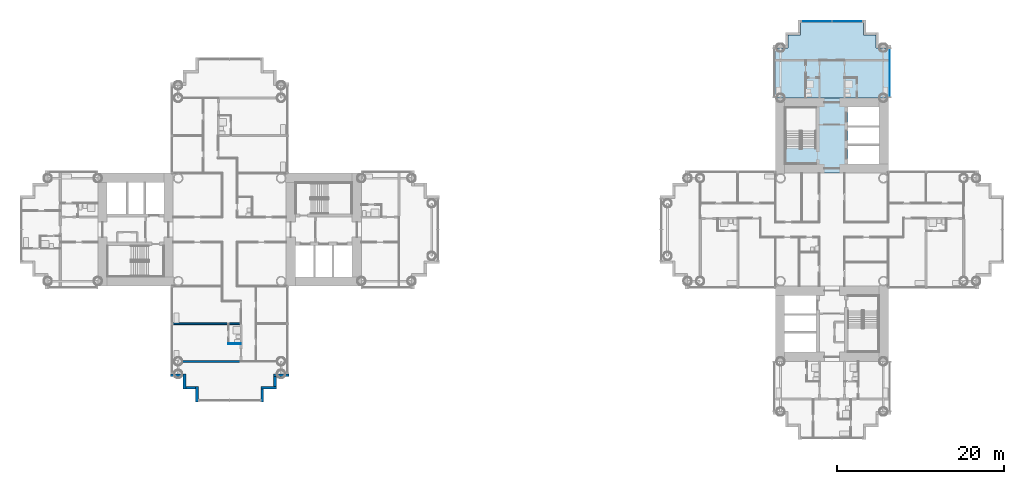
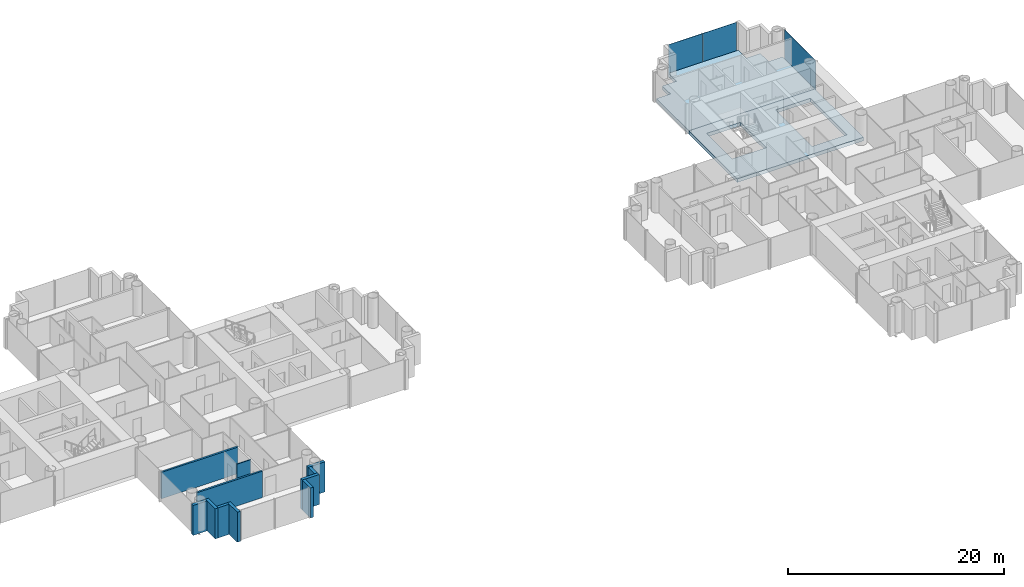
# One storey, part 8 of 21: 11 walls, 3 plates, 2 slabs, 2 elements without a shape of their own.
"""IFC4 building model written with IfcOpenShell, lengths in metres."""

from ifc_helpers import new_model, si_unit, direction, frame, frame_2d, origin, origin_2d, place, context, subcontext, project, spatial, polyline, rectangle, outline, extrude, material, layer, layer_set, type_object, element, aggregate, save


model = new_model("IFC4")

# Units and contexts
model_context = context("Model", 3, precision=1e-05, world=origin(), true_north=direction((0.0, 1.0)))
body_context = subcontext(model_context, "Body", "Model", "MODEL_VIEW")
ifc_project = project(units=[si_unit("LENGTHUNIT", "METRE"), si_unit("AREAUNIT", "SQUARE_METRE"), si_unit("VOLUMEUNIT", "CUBIC_METRE"), si_unit("PLANEANGLEUNIT", "RADIAN"), si_unit("MASSUNIT", "GRAM", prefix="KILO")], contexts=[model_context])

# Site, building, storey
site_placement = place(None, origin())
site = spatial("IfcSite", under=ifc_project, at=site_placement, CompositionType="ELEMENT")
building_placement = place(site_placement, origin())
building = spatial("IfcBuilding", under=site, at=building_placement, Name="Ipe Terrace Towers", CompositionType="ELEMENT")
storey_placement = place(building_placement, frame((0.0, 0.0, 48.300048828125)))
storey = spatial("IfcBuildingStorey", under=building, at=storey_placement, Name="L12", CompositionType="ELEMENT", Elevation=48.300048828125)

# Slabs
ifc_material_1 = material(Name="Concrete C30/37", Category="concrete")
ifc_layer_1 = layer(ifc_material_1, 0.39990234375)
ifc_layer_set_1 = layer_set([ifc_layer_1], Name="CORE FLOOR SLAB 400 C30-37")
slab_type_1 = type_object("IfcSlabType", Name="CORE FLOOR SLAB 400 C30-37", PredefinedType="FLOOR", material=ifc_layer_set_1)
slab_1_placement = place(storey_placement, frame((0.0, 0.0, -0.400146484375)))
element("IfcSlab", 1, at=slab_1_placement, inside=storey, type_object=slab_type_1, Name="Core floor T2-C1", PredefinedType="FLOOR", context=body_context, shape_type="SweptSolid", body=[
    extrude(outline(polyline([(29.25, 6.75), (29.25, 15.75), (42.75, 15.75), (42.75, 6.75), (29.25, 6.75)]), holes=[polyline([(41.64990234375, 7.85009765625), (41.64990234375, 14.64990234375), (37.89990234375, 14.64990234375), (37.89990234375, 7.85009765625), (41.64990234375, 7.85009765625)]), polyline([(30.449951171875, 9.800048828125), (34.10009765625, 9.800048828125), (34.10009765625, 14.550048828125), (30.449951171875, 14.550048828125), (30.449951171875, 9.800048828125)])]), origin(), (0.0, 0.0, 1.0), 0.400146484375),
])
ifc_material_2 = material(Name="Concrete C40/50", Category="concrete")
ifc_layer_2 = layer(ifc_material_2, 0.39990234375)
ifc_layer_set_2 = layer_set([ifc_layer_2], Name="FLAT PLATE SLAB 400 C40-50")
slab_type_2 = type_object("IfcSlabType", Name="FLAT PLATE SLAB 400 C40-50", PredefinedType="FLOOR", material=ifc_layer_set_2)
slab_2_placement = place(storey_placement, frame((0.0, 0.0, -0.400146484375)))
element("IfcSlab", 2, at=slab_2_placement, inside=storey, type_object=slab_type_2, Name="Slab T2-FS-Z13", PredefinedType="FLOOR", context=body_context, shape_type="SweptSolid", body=[
    extrude(outline(polyline([(30.75, 21.75), (30.75, 23.25), (32.25, 23.25), (32.25, 24.75), (39.75, 24.75), (39.75, 23.25), (41.25, 23.25), (41.25, 21.75), (42.75, 21.75), (42.75, 15.75), (29.25, 15.75), (29.25, 21.75), (30.75, 21.75)])), origin(), (0.0, 0.0, 1.0), 0.400146484375),
])

# Curtain wall, plate
ifc_material_3 = material(Name="Aluminium alloy 6063-T6", Category="aluminium")
ifc_layer_3 = layer(ifc_material_3, 0.320068359375)
ifc_layer_set_3 = layer_set([ifc_layer_3], Name="TOWER UNITISED CURTAIN WALL")
curtain_wall_type = type_object("IfcCurtainWallType", Name="TOWER UNITISED CURTAIN WALL", PredefinedType="NOTDEFINED", material=ifc_layer_set_3)
curtain_wall_1_placement = place(storey_placement, origin())
curtain_wall_1 = element("IfcCurtainWall", 3, at=curtain_wall_1_placement, inside=storey, type_object=curtain_wall_type, Name="T2-CW-L12-20b curtain wall", PredefinedType="NOTDEFINED")
ifc_material_4 = material(Name="Glass, clear laminated", Category="glass")
ifc_layer_4 = layer(ifc_material_4, 0.031982421875)
ifc_layer_set_4 = layer_set([ifc_layer_4], Name="TOWER UNITISED GLASS PANEL 32")
plate_type = type_object("IfcPlateType", Name="TOWER UNITISED GLASS PANEL 32", PredefinedType="CURTAIN_PANEL", material=ifc_layer_set_4)
plate_1_placement = place(storey_placement, frame((42.909912109375, 18.75048828125, -0.300048828125), z_axis=(0.0, 0.0, 1.0), x_axis=(0.0, 1.0, 0.0)))
plate_1 = element("IfcPlate", 4, at=plate_1_placement, type_object=plate_type, Name="T2-CW-L12-20b panel 1", PredefinedType="CURTAIN_PANEL", context=body_context, shape_type="SweptSolid", body=[
    extrude(rectangle(XDim=5.759033203125, YDim=0.031982421875, at=origin_2d()), origin(), (0.0, 0.0, 1.0), 3.39990234375),
])
aggregate(curtain_wall_1, [plate_1])

# Curtain wall, plates
curtain_wall_2_placement = place(storey_placement, origin())
curtain_wall_2 = element("IfcCurtainWall", 5, at=curtain_wall_2_placement, inside=storey, type_object=curtain_wall_type, Name="T2-CW-L12-25a curtain wall", PredefinedType="NOTDEFINED")
plate_2_placement = place(storey_placement, frame((37.831298828125, 24.909912109375, -0.300048828125), z_axis=(0.0, 0.0, 1.0), x_axis=(-1.0, 0.0, 0.0)))
plate_2 = element("IfcPlate", 6, at=plate_2_placement, type_object=plate_type, Name="T2-CW-L12-25a panel 1", PredefinedType="CURTAIN_PANEL", context=body_context, shape_type="SweptSolid", body=[
    extrude(rectangle(XDim=3.597412109375, YDim=0.031982421875, at=origin_2d()), origin(), (0.0, 0.0, 1.0), 3.39990234375),
])
plate_3_placement = place(storey_placement, frame((34.168701171875, 24.909912109375, -0.300048828125), z_axis=(0.0, 0.0, 1.0), x_axis=(-1.0, 0.0, 0.0)))
plate_3 = element("IfcPlate", 7, at=plate_3_placement, type_object=plate_type, Name="T2-CW-L12-25a panel 2", PredefinedType="CURTAIN_PANEL", context=body_context, shape_type="SweptSolid", body=[
    extrude(rectangle(XDim=3.597412109375, YDim=0.031982421875, at=origin_2d()), origin(), (0.0, 0.0, 1.0), 3.39990234375),
])
aggregate(curtain_wall_2, [plate_2, plate_3])

# Walls
ifc_material_5 = material(Name="Concrete C40/50 with buff precast cladding", Category="concrete")
ifc_layer_5 = layer(ifc_material_5, 0.320068359375)
ifc_layer_set_5 = layer_set([ifc_layer_5], Name="BUFF CLADDING WALL 320")
wall_type_1 = type_object("IfcWallType", Name="BUFF CLADDING WALL 320", PredefinedType="STANDARD", material=ifc_layer_set_5)
wall_1_placement = place(storey_placement, frame((-43.070068359375, -17.409912109375, -0.300048828125), z_axis=(0.0, 0.0, 1.0), x_axis=(1.0, 0.0, 0.0)))
element("IfcWall", 8, at=wall_1_placement, inside=storey, type_object=wall_type_1, Name="T1-W-L12-08a wall", PredefinedType="STANDARD", context=body_context, shape_type="SweptSolid", body=[
    extrude(rectangle(XDim=1.5, YDim=0.320068359375, at=frame_2d((0.75, 0.0))), origin(), (0.0, 0.0, 1.0), 3.39990234375),
])
wall_2_placement = place(storey_placement, frame((-41.409912109375, -17.25, -0.300048828125), z_axis=(0.0, 0.0, 1.0), x_axis=(0.0, -1.0, 0.0)))
element("IfcWall", 9, at=wall_2_placement, inside=storey, type_object=wall_type_1, Name="T1-W-L12-09a wall", PredefinedType="STANDARD", context=body_context, shape_type="SweptSolid", body=[
    extrude(rectangle(XDim=1.820068359375, YDim=0.320068359375, at=frame_2d((0.91015625, 0.0))), origin(), (0.0, 0.0, 1.0), 3.39990234375),
])
wall_3_placement = place(storey_placement, frame((-41.25, -18.909912109375, -0.300048828125), z_axis=(0.0, 0.0, 1.0), x_axis=(1.0, 0.0, 0.0)))
element("IfcWall", 10, at=wall_3_placement, inside=storey, type_object=wall_type_1, Name="T1-W-L12-10a wall", PredefinedType="STANDARD", context=body_context, shape_type="SweptSolid", body=[
    extrude(rectangle(XDim=1.179931640625, YDim=0.320068359375, at=frame_2d((0.58984375, 0.0))), origin(), (0.0, 0.0, 1.0), 3.39990234375),
])
wall_4_placement = place(storey_placement, frame((-39.909912109375, -18.75, -0.300048828125), z_axis=(0.0, 0.0, 1.0), x_axis=(0.0, -1.0, 0.0)))
element("IfcWall", 11, at=wall_4_placement, inside=storey, type_object=wall_type_1, Name="T1-W-L12-11a wall", PredefinedType="STANDARD", context=body_context, shape_type="SweptSolid", body=[
    extrude(rectangle(XDim=1.820068359375, YDim=0.320068359375, at=frame_2d((0.91015625, 0.0))), origin(), (0.0, 0.0, 1.0), 3.39990234375),
])
wall_5_placement = place(storey_placement, frame((-32.090087890625, -20.570068359375, -0.300048828125), z_axis=(0.0, 0.0, 1.0), x_axis=(0.0, 1.0, 0.0)))
element("IfcWall", 12, at=wall_5_placement, inside=storey, type_object=wall_type_1, Name="T1-W-L12-13a wall", PredefinedType="STANDARD", context=body_context, shape_type="SweptSolid", body=[
    extrude(rectangle(XDim=1.5, YDim=0.320068359375, at=frame_2d((0.75, 0.0))), origin(), (0.0, 0.0, 1.0), 3.39990234375),
])
wall_6_placement = place(storey_placement, frame((-32.25, -18.909912109375, -0.300048828125), z_axis=(0.0, 0.0, 1.0), x_axis=(1.0, 0.0, 0.0)))
element("IfcWall", 13, at=wall_6_placement, inside=storey, type_object=wall_type_1, Name="T1-W-L12-14a wall", PredefinedType="STANDARD", context=body_context, shape_type="SweptSolid", body=[
    extrude(rectangle(XDim=1.820068359375, YDim=0.320068359375, at=frame_2d((0.91015625, 0.0))), origin(), (0.0, 0.0, 1.0), 3.39990234375),
])
wall_7_placement = place(storey_placement, frame((-30.590087890625, -18.75, -0.300048828125), z_axis=(0.0, 0.0, 1.0), x_axis=(0.0, 1.0, 0.0)))
element("IfcWall", 14, at=wall_7_placement, inside=storey, type_object=wall_type_1, Name="T1-W-L12-15a wall", PredefinedType="STANDARD", context=body_context, shape_type="SweptSolid", body=[
    extrude(rectangle(XDim=1.179931640625, YDim=0.320068359375, at=frame_2d((0.58984375, 0.0))), origin(), (0.0, 0.0, 1.0), 3.39990234375),
])
wall_8_placement = place(storey_placement, frame((-30.75, -17.409912109375, -0.300048828125), z_axis=(0.0, 0.0, 1.0), x_axis=(1.0, 0.0, 0.0)))
element("IfcWall", 15, at=wall_8_placement, inside=storey, type_object=wall_type_1, Name="T1-W-L12-16a wall", PredefinedType="STANDARD", context=body_context, shape_type="SweptSolid", body=[
    extrude(rectangle(XDim=1.820068359375, YDim=0.320068359375, at=frame_2d((0.91015625, 0.0))), origin(), (0.0, 0.0, 1.0), 3.39990234375),
])
ifc_material_6 = material(Name="Gypsum board partition", Category="plasterboard")
ifc_layer_6 = layer(ifc_material_6, 0.10009765625)
ifc_layer_set_6 = layer_set([ifc_layer_6], Name="Gypsum board partition 100 mm")
wall_type_2 = type_object("IfcWallType", Name="Gypsum board partition 100 mm", PredefinedType="PARTITIONING", material=ifc_layer_set_6)
wall_9_placement = place(storey_placement, frame((-36.14990234375, -13.64990234375, 0.0), z_axis=(0.0, 0.0, 1.0), x_axis=(1.0, 0.0, 0.0)))
element("IfcWall", 16, at=wall_9_placement, inside=storey, type_object=wall_type_2, Name="Gypsum board partition T1 L12 W22", PredefinedType="PARTITIONING", context=body_context, shape_type="SweptSolid", body=[
    extrude(rectangle(XDim=1.5, YDim=0.10009765625, at=frame_2d((0.75, 0.0))), origin(), (0.0, 0.0, 1.0), 3.0),
])
ifc_material_7 = material(Name="Gypsum board party wall", Category="plasterboard")
ifc_layer_7 = layer(ifc_material_7, 0.199951171875)
ifc_layer_set_7 = layer_set([ifc_layer_7], Name="Gypsum board party wall 200 mm")
wall_type_3 = type_object("IfcWallType", Name="Gypsum board party wall 200 mm", PredefinedType="SOLIDWALL", material=ifc_layer_set_7)
wall_10_placement = place(storey_placement, frame((-41.64990234375, -15.75, 0.0), z_axis=(0.0, 0.0, 1.0), x_axis=(1.0, 0.0, 0.0)))
element("IfcWall", 17, at=wall_10_placement, inside=storey, type_object=wall_type_3, Name="Gypsum board party wall T1 L12 W21", PredefinedType="SOLIDWALL", context=body_context, shape_type="SweptSolid", body=[
    extrude(rectangle(XDim=7.0, YDim=0.199951171875, at=frame_2d((3.5, 0.0))), origin(), (0.0, 0.0, 1.0), 3.0),
])
wall_11_placement = place(storey_placement, frame((-42.85009765625, -11.25, 0.0), z_axis=(0.0, 0.0, 1.0), x_axis=(1.0, 0.0, 0.0)))
element("IfcWall", 18, at=wall_11_placement, inside=storey, type_object=wall_type_3, Name="Gypsum board party wall T1 L12 W24", PredefinedType="SOLIDWALL", context=body_context, shape_type="SweptSolid", body=[
    extrude(rectangle(XDim=8.2001953125, YDim=0.199951171875, at=frame_2d((4.10009765625, 0.0))), origin(), (0.0, 0.0, 1.0), 3.0),
])

save(model, "model.ifc")
